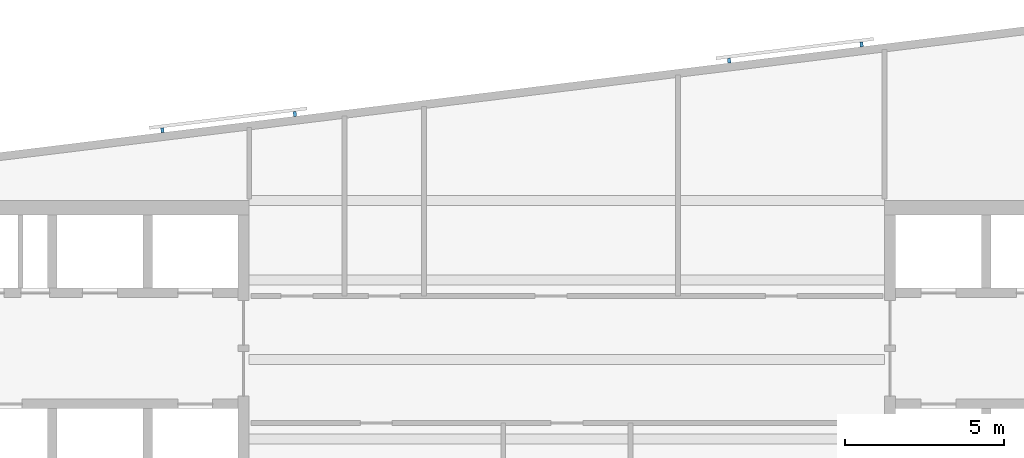
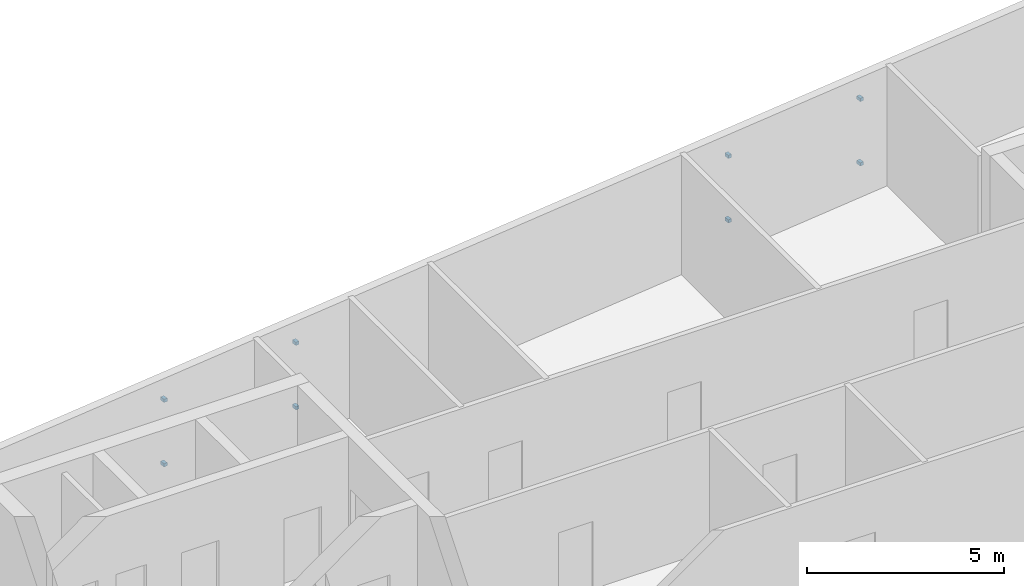
# One storey, part 11 of 13: 8 discrete accessories.
"""IFC4 building model written with IfcOpenShell, lengths in metres."""

from ifc_helpers import new_model, si_unit, direction, frame, origin, origin_2d, place, context, subcontext, project, spatial, rectangle, extrude, material, type_object, element, save


model = new_model("IFC4")

# Units and contexts
model_context = context("Model", 3, precision=1e-05, world=origin(), true_north=direction((0.0, 1.0)))
body_context = subcontext(model_context, "Body", "Model", "MODEL_VIEW")
ifc_project = project(units=[si_unit("LENGTHUNIT", "METRE"), si_unit("AREAUNIT", "SQUARE_METRE"), si_unit("VOLUMEUNIT", "CUBIC_METRE"), si_unit("PLANEANGLEUNIT", "RADIAN"), si_unit("MASSUNIT", "GRAM", prefix="KILO")], contexts=[model_context])

# Site, building, storey
site_placement = place(None, origin())
site = spatial("IfcSite", under=ifc_project, at=site_placement, CompositionType="ELEMENT")
building_placement = place(site_placement, origin())
building = spatial("IfcBuilding", under=site, at=building_placement, Name="Torana Hotel and Residences", CompositionType="ELEMENT")
storey_placement = place(building_placement, frame((0.0, 0.0, 342.60009765625)))
storey = spatial("IfcBuildingStorey", under=building, at=storey_placement, Name="L90", CompositionType="ELEMENT", Elevation=342.60009765625)

# Discrete accessories
ifc_material = material(Name="Steel S355", Category="steel")
discrete_accessory_type = type_object("IfcDiscreteAccessoryType", Name="SCREEN BRACKET 100", PredefinedType="BRACKET", material=ifc_material)
for number, where, z_axis, x_axis, name in (
    (1, (9.277587890625, 4.920654296875, 0.749755859375), (0.0, 0.0, 1.0), (-0.99254657704, -0.121865878765, 0.0), "Screen bracket L90"),
    (2, (9.277587890625, 4.920654296875, 2.749755859375), (0.0, 0.0, 1.0), (-0.99254657704, -0.121865878765, 0.0), "Screen bracket L90"),
    (3, (5.10888671875, 4.40869140625, 0.749755859375), (0.0, 0.0, 1.0), (-0.99254657704, -0.121865878765, 0.0), "Screen bracket L90"),
    (4, (5.10888671875, 4.40869140625, 2.749755859375), (0.0, 0.0, 1.0), (-0.99254657704, -0.121865878765, 0.0), "Screen bracket L90"),
    (5, (-8.563720703125, 2.72998046875, 0.749755859375), (0.0, 0.0, 1.0), (-0.99254657704, -0.121865878765, 0.0), "Screen bracket L90"),
    (6, (-8.563720703125, 2.72998046875, 2.749755859375), (0.0, 0.0, 1.0), (-0.99254657704, -0.121865878765, 0.0), "Screen bracket L90"),
    (7, (-12.732421875, 2.218017578125, 0.749755859375), (0.0, 0.0, 1.0), (-0.99254657704, -0.121865878765, 0.0), "Screen bracket L90"),
    (8, (-12.732421875, 2.218017578125, 2.749755859375), (0.0, 0.0, 1.0), (-0.99254657704, -0.121865878765, 0.0), "Screen bracket L90"),
):
    element("IfcDiscreteAccessory", number, at=place(storey_placement, frame(where, z_axis=z_axis, x_axis=x_axis)), inside=storey, type_object=discrete_accessory_type, Name=name, PredefinedType="BRACKET", context=body_context, shape_type="SweptSolid", body=[
        extrude(rectangle(XDim=0.10009765625, YDim=0.14990234375, at=origin_2d()), origin(), (0.0, 0.0, 1.0), 0.10009765625),
    ])

save(model, "model.ifc")
